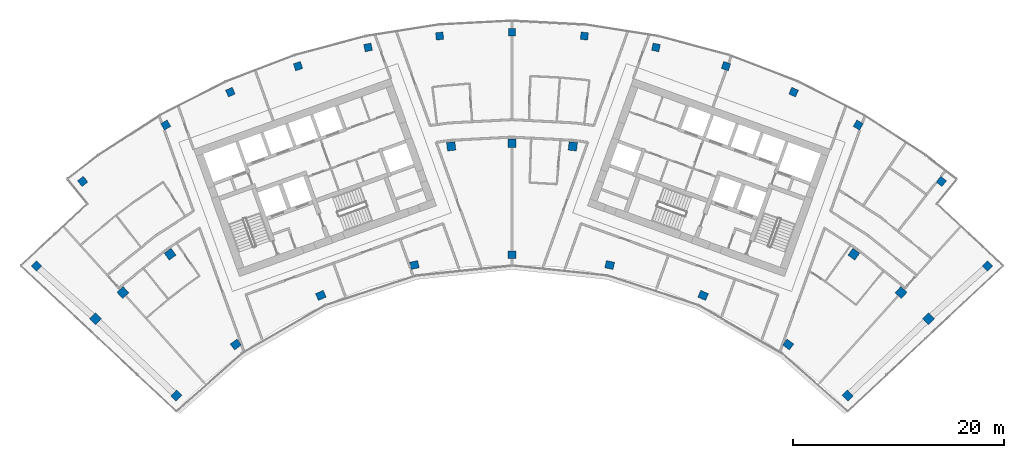
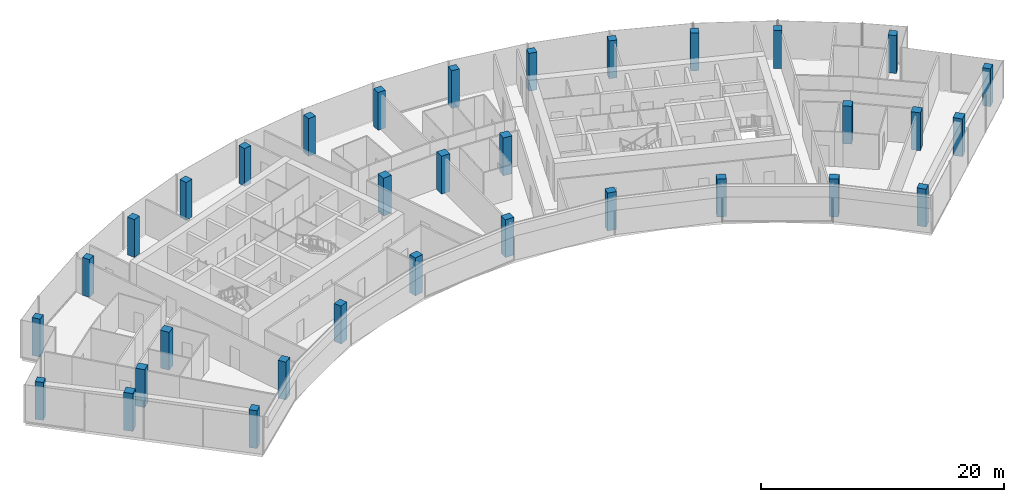
# One storey, part 1 of 18: 33 columns.
"""IFC4 building model written with IfcOpenShell, lengths in metres."""

from ifc_helpers import new_model, si_unit, direction, frame, origin, origin_2d, place, context, subcontext, project, spatial, rectangle, extrude, material, material_profile, profile_set, type_object, element, save


model = new_model("IFC4")

# Units and contexts
model_context = context("Model", 3, precision=1e-05, world=origin(), true_north=direction((0.0, 1.0)))
body_context = subcontext(model_context, "Body", "Model", "MODEL_VIEW")
ifc_project = project(units=[si_unit("LENGTHUNIT", "METRE"), si_unit("AREAUNIT", "SQUARE_METRE"), si_unit("VOLUMEUNIT", "CUBIC_METRE"), si_unit("PLANEANGLEUNIT", "RADIAN"), si_unit("MASSUNIT", "GRAM", prefix="KILO")], contexts=[model_context])

# Site, building, storey
site_placement = place(None, origin())
site = spatial("IfcSite", under=ifc_project, at=site_placement, CompositionType="ELEMENT")
building_placement = place(site_placement, origin())
building = spatial("IfcBuilding", under=site, at=building_placement, Name="Stone Belt Terrace Tower", CompositionType="ELEMENT")
storey_placement = place(building_placement, frame((0.0, 0.0, 277.0)))
storey = spatial("IfcBuildingStorey", under=building, at=storey_placement, Name="L67", CompositionType="ELEMENT", Elevation=277.0)

# Columns
ifc_material = material(Name="Concrete B60", Category="concrete")
ifc_material_profile_1 = material_profile(ifc_material, rectangle(XDim=0.699951171875, YDim=0.699951171875, at=origin_2d()), Name="RC 700x700")
ifc_profile_set_1 = profile_set([ifc_material_profile_1], Name="Concrete B60")
column_type_1 = type_object("IfcColumnType", Name="Column RC 700x700 B60", PredefinedType="COLUMN", material=ifc_profile_set_1)
for number, where, z_axis, x_axis, name in (
    (1, (-44.97705078125, 43.381103515625, 0.0), (0.0, 0.0, 1.0), (0.694221333646, 0.719761585465, 0.0), "Column L67 RA"),
    (2, (44.97705078125, 43.381103515625, 0.0), (0.0, 0.0, 1.0), (0.694221333646, -0.719761585465, 0.0), "Column L67 RB"),
    (3, (-40.605712890625, 51.380615234375, 0.0), (0.0, 0.0, 1.0), (0.784569718703, 0.620040608746, 0.0), "Column L67 RNA"),
    (4, (-32.744384765625, 56.715087890625, 0.0), (0.0, 0.0, 1.0), (0.866025403784, 0.5, 0.0), "Column L67 R17"),
    (5, (-26.63671875, 59.8271484375, 0.0), (0.0, 0.0, 1.0), (0.913545457643, 0.406736643076, 0.0), "Column L67 R18"),
    (6, (-20.2373046875, 62.28369140625, 0.0), (0.0, 0.0, 1.0), (0.951056516295, 0.309016994375, 0.0), "Column L67 R19"),
    (7, (-13.615966796875, 64.057861328125, 0.0), (0.0, 0.0, 1.0), (0.978147600734, 0.207911690818, 0.0), "Column L67 R20"),
    (8, (-6.845458984375, 65.130126953125, 0.0), (0.0, 0.0, 1.0), (0.994521895368, 0.104528463268, 0.0), "Column L67 R21"),
    (9, (0.0, 65.489013671875, 0.0), (0.0, 0.0, 1.0), (1.0, 0.0, 0.0), "Column L67 R22"),
    (10, (6.845458984375, 65.130126953125, 0.0), (0.0, 0.0, 1.0), (0.994521895368, -0.104528463268, 0.0), "Column L67 R23"),
    (11, (13.615966796875, 64.057861328125, 0.0), (0.0, 0.0, 1.0), (0.978147600734, -0.207911690818, 0.0), "Column L67 R24"),
    (12, (20.2373046875, 62.28369140625, 0.0), (0.0, 0.0, 1.0), (0.951056516295, -0.309016994375, 0.0), "Column L67 R25"),
    (13, (26.63671875, 59.8271484375, 0.0), (0.0, 0.0, 1.0), (0.913545457643, -0.406736643076, 0.0), "Column L67 R26"),
    (14, (32.744384765625, 56.715087890625, 0.0), (0.0, 0.0, 1.0), (0.866025403784, -0.5, 0.0), "Column L67 R27"),
    (15, (40.605712890625, 51.380615234375, 0.0), (0.0, 0.0, 1.0), (0.784569718703, -0.620040608746, 0.0), "Column L67 RNB"),
):
    element("IfcColumn", number, at=place(storey_placement, frame(where, z_axis=z_axis, x_axis=x_axis)), inside=storey, type_object=column_type_1, Name=name, PredefinedType="COLUMN", context=body_context, shape_type="SweptSolid", body=[
        extrude(rectangle(XDim=0.699951171875, YDim=0.699951171875, at=origin_2d()), origin(), (0.0, 0.0, 1.0), 3.800048828125),
    ])
ifc_material_profile_2 = material_profile(ifc_material, rectangle(XDim=0.800048828125, YDim=0.699951171875, at=origin_2d()), Name="RC 800x700")
ifc_profile_set_2 = profile_set([ifc_material_profile_2], Name="Concrete B60")
column_type_2 = type_object("IfcColumnType", Name="Column RC 800x700 B60", PredefinedType="COLUMN", material=ifc_profile_set_2)
for number, where, z_axis, x_axis, name in (
    (16, (-31.73486328125, 31.11669921875, 0.0), (0.0, 0.0, 1.0), (0.700119596097, 0.714025595592, 0.0), "Column L67 PA"),
    (17, (-26.1240234375, 35.956787109375, 0.0), (0.0, 0.0, 1.0), (0.809016994375, 0.587785252292, 0.0), "Column L67 P16"),
    (18, (-18.077392578125, 40.6025390625, 0.0), (0.0, 0.0, 1.0), (0.913545457643, 0.406736643076, 0.0), "Column L67 P18"),
    (19, (-9.240478515625, 43.473876953125, 0.0), (0.0, 0.0, 1.0), (0.978147600734, 0.207911690818, 0.0), "Column L67 P20"),
    (20, (0.0, 44.445068359375, 0.0), (0.0, 0.0, 1.0), (1.0, 0.0, 0.0), "Column L67 P22"),
    (21, (9.240478515625, 43.473876953125, 0.0), (0.0, 0.0, 1.0), (0.978147600734, -0.207911690818, 0.0), "Column L67 P24"),
    (22, (18.077392578125, 40.6025390625, 0.0), (0.0, 0.0, 1.0), (0.913545457643, -0.406736643076, 0.0), "Column L67 P26"),
    (23, (26.1240234375, 35.956787109375, 0.0), (0.0, 0.0, 1.0), (0.809016994375, -0.587785252292, 0.0), "Column L67 P28"),
    (24, (31.73486328125, 31.11669921875, 0.0), (0.0, 0.0, 1.0), (0.700119596097, -0.714025595592, 0.0), "Column L67 PB"),
):
    element("IfcColumn", number, at=place(storey_placement, frame(where, z_axis=z_axis, x_axis=x_axis)), inside=storey, type_object=column_type_2, Name=name, PredefinedType="COLUMN", context=body_context, shape_type="SweptSolid", body=[
        extrude(rectangle(XDim=0.800048828125, YDim=0.699951171875, at=origin_2d()), origin(), (0.0, 0.0, 1.0), 3.800048828125),
    ])
ifc_material_profile_3 = material_profile(ifc_material, rectangle(XDim=0.800048828125, YDim=0.800048828125, at=origin_2d()), Name="RC 800x800")
ifc_profile_set_3 = profile_set([ifc_material_profile_3], Name="Concrete B60")
column_type_3 = type_object("IfcColumnType", Name="Column RC 800x800 B60", PredefinedType="COLUMN", material=ifc_profile_set_3)
for number, where, z_axis, x_axis, name in (
    (25, (-39.38818359375, 38.386962890625, 0.0), (0.0, 0.0, 1.0), (0.697944216238, 0.716152128406, 0.0), "Column L67 QA"),
    (26, (-36.80224609375, 40.873046875, 0.0), (0.0, 0.0, 1.0), (0.743144825477, 0.669130606359, 0.0), "Column L67 Q15"),
    (27, (-32.328125, 44.495849609375, 0.0), (0.0, 0.0, 1.0), (0.809016994375, 0.587785252292, 0.0), "Column L67 Q16"),
    (28, (-5.7490234375, 54.69873046875, 0.0), (0.0, 0.0, 1.0), (0.994521895368, 0.104528463268, 0.0), "Column L67 Q21"),
    (29, (0.0, 55.0, 0.0), (0.0, 0.0, 1.0), (1.0, 0.0, 0.0), "Column L67 Q22"),
    (30, (5.7490234375, 54.69873046875, 0.0), (0.0, 0.0, 1.0), (0.994521895368, -0.104528463268, 0.0), "Column L67 Q23"),
    (31, (32.328125, 44.495849609375, 0.0), (0.0, 0.0, 1.0), (0.809016994375, -0.587785252292, 0.0), "Column L67 Q28"),
    (32, (36.80224609375, 40.873046875, 0.0), (0.0, 0.0, 1.0), (0.743144825477, -0.669130606359, 0.0), "Column L67 Q29"),
    (33, (39.38818359375, 38.386962890625, 0.0), (0.0, 0.0, 1.0), (0.697944216238, -0.716152128406, 0.0), "Column L67 QB"),
):
    element("IfcColumn", number, at=place(storey_placement, frame(where, z_axis=z_axis, x_axis=x_axis)), inside=storey, type_object=column_type_3, Name=name, PredefinedType="COLUMN", context=body_context, shape_type="SweptSolid", body=[
        extrude(rectangle(XDim=0.800048828125, YDim=0.800048828125, at=origin_2d()), origin(), (0.0, 0.0, 1.0), 3.800048828125),
    ])

save(model, "model.ifc")
